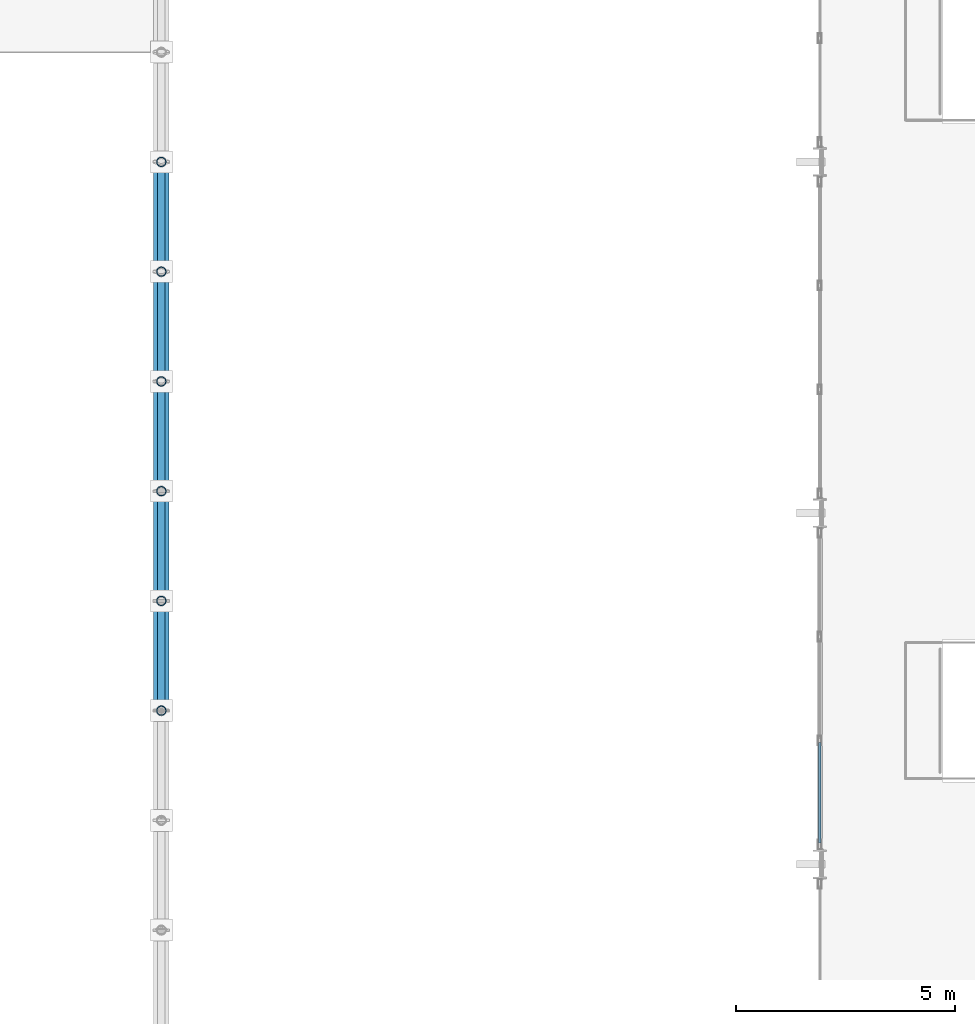
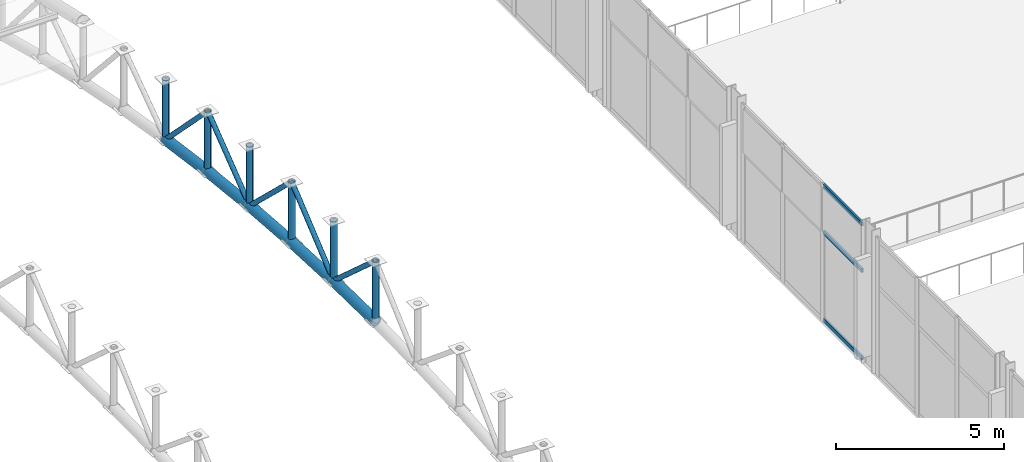
# One storey, part 46 of 195: 19 members, 1 element without a shape of its own.
"""IFC4 building model written with IfcOpenShell, lengths in metres."""

from ifc_helpers import new_model, si_unit, direction, frame, origin, origin_2d, place, context, subcontext, project, spatial, hollow_rectangle, hollow_circle, extrude, material, layer, layer_set, material_profile, profile_set, type_object, element, aggregate, save


model = new_model("IFC4")

# Units and contexts
model_context = context("Model", 3, precision=1e-05, world=origin(), true_north=direction((0.0, 1.0)))
body_context = subcontext(model_context, "Body", "Model", "MODEL_VIEW")
ifc_project = project(units=[si_unit("LENGTHUNIT", "METRE"), si_unit("AREAUNIT", "SQUARE_METRE"), si_unit("VOLUMEUNIT", "CUBIC_METRE"), si_unit("PLANEANGLEUNIT", "RADIAN"), si_unit("MASSUNIT", "GRAM", prefix="KILO")], contexts=[model_context])

# Site, building, storey
site_placement = place(None, origin())
site = spatial("IfcSite", under=ifc_project, at=site_placement, CompositionType="ELEMENT")
building_placement = place(site_placement, origin())
building = spatial("IfcBuilding", under=site, at=building_placement, Name="Marlcrest Central Station", CompositionType="ELEMENT")
storey_placement = place(building_placement, frame((0.0, 0.0, 9.800048828125)))
storey = spatial("IfcBuildingStorey", under=building, at=storey_placement, Name="L02", CompositionType="ELEMENT", Elevation=9.800048828125)

# Members
ifc_material_1 = material(Name="Steel S355", Category="steel")
ifc_material_profile_1 = material_profile(ifc_material_1, hollow_circle(Radius=0.177734375, WallThickness=0.01611328125, at=origin_2d()), Name="CHS 355.6x16")
ifc_profile_set_1 = profile_set([ifc_material_profile_1], Name="Steel S355")
member_type_1 = type_object("IfcMemberType", Name="AC-02", PredefinedType="CHORD", material=ifc_profile_set_1)
member_1_placement = place(storey_placement, frame((72.0, 66.0, 4.800048828125), z_axis=(0.0, 0.999879472592, -0.01552547228), x_axis=(-1.0, 0.0, 0.0)))
element("IfcMember", 1, at=member_1_placement, inside=storey, type_object=member_type_1, Name="mem-AC-02-L02-01040", PredefinedType="CHORD", context=body_context, shape_type="SweptSolid", body=[
    extrude(hollow_circle(Radius=0.177734375, WallThickness=0.01611328125, at=origin_2d()), origin(), (0.0, 0.0, 1.0), 2.500244140625),
])
member_2_placement = place(storey_placement, frame((72.0, 68.5, 4.76123046875), z_axis=(0.0, 0.998916819647, -0.046531574509), x_axis=(-1.0, 0.0, 0.0)))
element("IfcMember", 2, at=member_2_placement, inside=storey, type_object=member_type_1, Name="mem-AC-02-L02-01044", PredefinedType="CHORD", context=body_context, shape_type="SweptSolid", body=[
    extrude(hollow_circle(Radius=0.177734375, WallThickness=0.01611328125, at=origin_2d()), origin(), (0.0, 0.0, 1.0), 2.502685546875),
])
member_3_placement = place(storey_placement, frame((72.0, 71.0, 4.644775390625), z_axis=(0.0, 0.997007334767, -0.077307014043), x_axis=(-1.0, 0.0, 0.0)))
element("IfcMember", 3, at=member_3_placement, inside=storey, type_object=member_type_1, Name="mem-AC-02-L02-01048", PredefinedType="CHORD", context=body_context, shape_type="SweptSolid", body=[
    extrude(hollow_circle(Radius=0.177734375, WallThickness=0.01611328125, at=origin_2d()), origin(), (0.0, 0.0, 1.0), 2.507568359375),
])
member_4_placement = place(storey_placement, frame((72.0, 73.5, 4.450927734375), z_axis=(0.0, 0.994155341034, -0.107959056565), x_axis=(-1.0, 0.0, 0.0)))
element("IfcMember", 4, at=member_4_placement, inside=storey, type_object=member_type_1, Name="mem-AC-02-L02-01052", PredefinedType="CHORD", context=body_context, shape_type="SweptSolid", body=[
    extrude(hollow_circle(Radius=0.177734375, WallThickness=0.01611328125, at=origin_2d()), origin(), (0.0, 0.0, 1.0), 2.5146484375),
])
member_5_placement = place(storey_placement, frame((72.0, 76.0, 4.179443359375), z_axis=(0.0, 0.990402740232, -0.138211476152), x_axis=(-1.0, 0.0, 0.0)))
element("IfcMember", 5, at=member_5_placement, inside=storey, type_object=member_type_1, Name="mem-AC-02-L02-01056", PredefinedType="CHORD", context=body_context, shape_type="SweptSolid", body=[
    extrude(hollow_circle(Radius=0.177734375, WallThickness=0.01611328125, at=origin_2d()), origin(), (0.0, 0.0, 1.0), 2.524169921875),
])
ifc_material_profile_2 = material_profile(ifc_material_1, hollow_circle(Radius=0.084228515625, WallThickness=0.010009765625, at=origin_2d()), Name="CHS 168.3x10")
ifc_profile_set_2 = profile_set([ifc_material_profile_2], Name="Steel S355")
member_type_2 = type_object("IfcMemberType", Name="AD-01", PredefinedType="BRACE", material=ifc_profile_set_2)
member_6_placement = place(storey_placement, frame((72.0, 66.0, 7.0), z_axis=(0.0, 0.744955843007, -0.66711377738), x_axis=(-1.0, 0.0, 0.0)))
element("IfcMember", 6, at=member_6_placement, inside=storey, type_object=member_type_2, Name="mem-AD-01-L02-01042", PredefinedType="BRACE", context=body_context, shape_type="SweptSolid", body=[
    extrude(hollow_circle(Radius=0.084228515625, WallThickness=0.010009765625, at=origin_2d()), origin(), (0.0, 0.0, 1.0), 3.35595703125),
])
member_7_placement = place(storey_placement, frame((72.0, 68.5, 4.76123046875), z_axis=(0.0, 0.768159787854, 0.640258182552), x_axis=(-1.0, 0.0, 0.0)))
element("IfcMember", 7, at=member_7_placement, inside=storey, type_object=member_type_2, Name="mem-AD-01-L02-01046", PredefinedType="BRACE", context=body_context, shape_type="SweptSolid", body=[
    extrude(hollow_circle(Radius=0.084228515625, WallThickness=0.010009765625, at=origin_2d()), origin(), (0.0, 0.0, 1.0), 3.254638671875),
])
member_8_placement = place(storey_placement, frame((72.0, 71.0, 6.844970703125), z_axis=(0.0, 0.722246537655, -0.691635698071), x_axis=(-1.0, 0.0, 0.0)))
element("IfcMember", 8, at=member_8_placement, inside=storey, type_object=member_type_2, Name="mem-AD-01-L02-01050", PredefinedType="BRACE", context=body_context, shape_type="SweptSolid", body=[
    extrude(hollow_circle(Radius=0.084228515625, WallThickness=0.010009765625, at=origin_2d()), origin(), (0.0, 0.0, 1.0), 3.46142578125),
])
member_9_placement = place(storey_placement, frame((72.0, 73.5, 4.450927734375), z_axis=(0.0, 0.791798282026, 0.610782678684), x_axis=(-1.0, 0.0, 0.0)))
element("IfcMember", 9, at=member_9_placement, inside=storey, type_object=member_type_2, Name="mem-AD-01-L02-01054", PredefinedType="BRACE", context=body_context, shape_type="SweptSolid", body=[
    extrude(hollow_circle(Radius=0.084228515625, WallThickness=0.010009765625, at=origin_2d()), origin(), (0.0, 0.0, 1.0), 3.157470703125),
])
member_10_placement = place(storey_placement, frame((72.0, 76.0, 6.37939453125), z_axis=(0.0, 0.70023547796, -0.713911952139), x_axis=(-1.0, 0.0, 0.0)))
element("IfcMember", 10, at=member_10_placement, inside=storey, type_object=member_type_2, Name="mem-AD-01-L02-01058", PredefinedType="BRACE", context=body_context, shape_type="SweptSolid", body=[
    extrude(hollow_circle(Radius=0.084228515625, WallThickness=0.010009765625, at=origin_2d()), origin(), (0.0, 0.0, 1.0), 3.5703125),
])
ifc_material_profile_3 = material_profile(ifc_material_1, hollow_circle(Radius=0.109619140625, WallThickness=0.012451171875, at=origin_2d()), Name="CHS 219.1x12.5")
ifc_profile_set_3 = profile_set([ifc_material_profile_3], Name="Steel S355")
member_type_3 = type_object("IfcMemberType", Name="AP-01", PredefinedType="POST", material=ifc_profile_set_3)
for number, where, z_axis, x_axis, name in (
    (11, (72.0, 66.0, 4.800048828125), (0.0, 0.0, 1.0), (1.0, 0.0, 0.0), "mem-AP-01-L02-01041"),
    (12, (72.0, 68.5, 4.76123046875), (0.0, 0.0, 1.0), (1.0, 0.0, 0.0), "mem-AP-01-L02-01045"),
):
    element("IfcMember", number, at=place(storey_placement, frame(where, z_axis=z_axis, x_axis=x_axis)), inside=storey, type_object=member_type_3, Name=name, PredefinedType="POST", context=body_context, shape_type="SweptSolid", body=[
        extrude(hollow_circle(Radius=0.109619140625, WallThickness=0.012451171875, at=origin_2d()), origin(), (0.0, 0.0, 1.0), 2.199951171875),
    ])
member_11_placement = place(storey_placement, frame((72.0, 71.0, 4.644775390625), z_axis=(0.0, 0.0, 1.0), x_axis=(1.0, 0.0, 0.0)))
element("IfcMember", 13, at=member_11_placement, inside=storey, type_object=member_type_3, Name="mem-AP-01-L02-01049", PredefinedType="POST", context=body_context, shape_type="SweptSolid", body=[
    extrude(hollow_circle(Radius=0.109619140625, WallThickness=0.012451171875, at=origin_2d()), origin(), (0.0, 0.0, 1.0), 2.2001953125),
])
for number, where, z_axis, x_axis, name in (
    (14, (72.0, 73.5, 4.450927734375), (0.0, 0.0, 1.0), (1.0, 0.0, 0.0), "mem-AP-01-L02-01053"),
    (15, (72.0, 76.0, 4.179443359375), (0.0, 0.0, 1.0), (1.0, 0.0, 0.0), "mem-AP-01-L02-01057"),
    (16, (72.0, 78.5, 3.83056640625), (0.0, 0.0, 1.0), (1.0, 0.0, 0.0), "mem-AP-01-L02-01061"),
):
    element("IfcMember", number, at=place(storey_placement, frame(where, z_axis=z_axis, x_axis=x_axis)), inside=storey, type_object=member_type_3, Name=name, PredefinedType="POST", context=body_context, shape_type="SweptSolid", body=[
        extrude(hollow_circle(Radius=0.109619140625, WallThickness=0.012451171875, at=origin_2d()), origin(), (0.0, 0.0, 1.0), 2.199951171875),
    ])

# Curtain wall, members
ifc_material_2 = material(Name="Anodised aluminium and hurricane laminated glass", Category="aluminium")
ifc_layer = layer(ifc_material_2, 0.219970703125, Name="CW-U1")
ifc_layer_set = layer_set([ifc_layer], Name="Anodised aluminium and hurricane laminated glass")
curtain_wall_type = type_object("IfcCurtainWallType", Name="CW-U1", PredefinedType="USERDEFINED", material=ifc_layer_set)
curtain_wall_placement = place(storey_placement, origin())
curtain_wall = element("IfcCurtainWall", 17, at=curtain_wall_placement, inside=storey, type_object=curtain_wall_type, Name="cw-L02-0119", ObjectType="UNITISED_CURTAIN_WALL", PredefinedType="USERDEFINED")
ifc_material_3 = material(Name="Anodised aluminium 6063-T6", Category="aluminium")
ifc_material_profile_4 = material_profile(ifc_material_3, hollow_rectangle(XDim=0.06005859375, YDim=0.14990234375, WallThickness=0.00390625, at=origin_2d()), Name="AA-RHS 150x60x4")
ifc_profile_set_4 = profile_set([ifc_material_profile_4], Name="Anodised aluminium 6063-T6")
member_type_4 = type_object("IfcMemberType", Name="TR-01", PredefinedType="USERDEFINED", material=ifc_profile_set_4)
member_12_placement = place(storey_placement, frame((87.0, 62.988037109375, 0.0400390625), z_axis=(0.0, 1.0, 0.0), x_axis=(-1.0, 0.0, 0.0)))
member_12 = element("IfcMember", 18, at=member_12_placement, type_object=member_type_4, Name="cw-L02-0119-tr-0-sill", ObjectType="TRANSOM", PredefinedType="USERDEFINED", context=body_context, shape_type="SweptSolid", body=[
    extrude(hollow_rectangle(XDim=0.06005859375, YDim=0.14990234375, WallThickness=0.00390625, at=origin_2d()), origin(), (0.0, 0.0, 1.0), 2.290771484375),
])
member_13_placement = place(storey_placement, frame((87.0, 62.988037109375, 3.218017578125), z_axis=(0.0, 1.0, 0.0), x_axis=(-1.0, 0.0, 0.0)))
member_13 = element("IfcMember", 19, at=member_13_placement, type_object=member_type_4, Name="cw-L02-0119-tr-0-mid", ObjectType="TRANSOM", PredefinedType="USERDEFINED", context=body_context, shape_type="SweptSolid", body=[
    extrude(hollow_rectangle(XDim=0.06005859375, YDim=0.14990234375, WallThickness=0.00390625, at=origin_2d()), origin(), (0.0, 0.0, 1.0), 2.290771484375),
])
member_14_placement = place(storey_placement, frame((87.0, 62.988037109375, 4.909912109375), z_axis=(0.0, 1.0, 0.0), x_axis=(-1.0, 0.0, 0.0)))
member_14 = element("IfcMember", 20, at=member_14_placement, type_object=member_type_4, Name="cw-L02-0119-tr-0-head", ObjectType="TRANSOM", PredefinedType="USERDEFINED", context=body_context, shape_type="SweptSolid", body=[
    extrude(hollow_rectangle(XDim=0.06005859375, YDim=0.14990234375, WallThickness=0.00390625, at=origin_2d()), origin(), (0.0, 0.0, 1.0), 2.290771484375),
])
aggregate(curtain_wall, [member_12, member_13, member_14])

save(model, "model.ifc")
